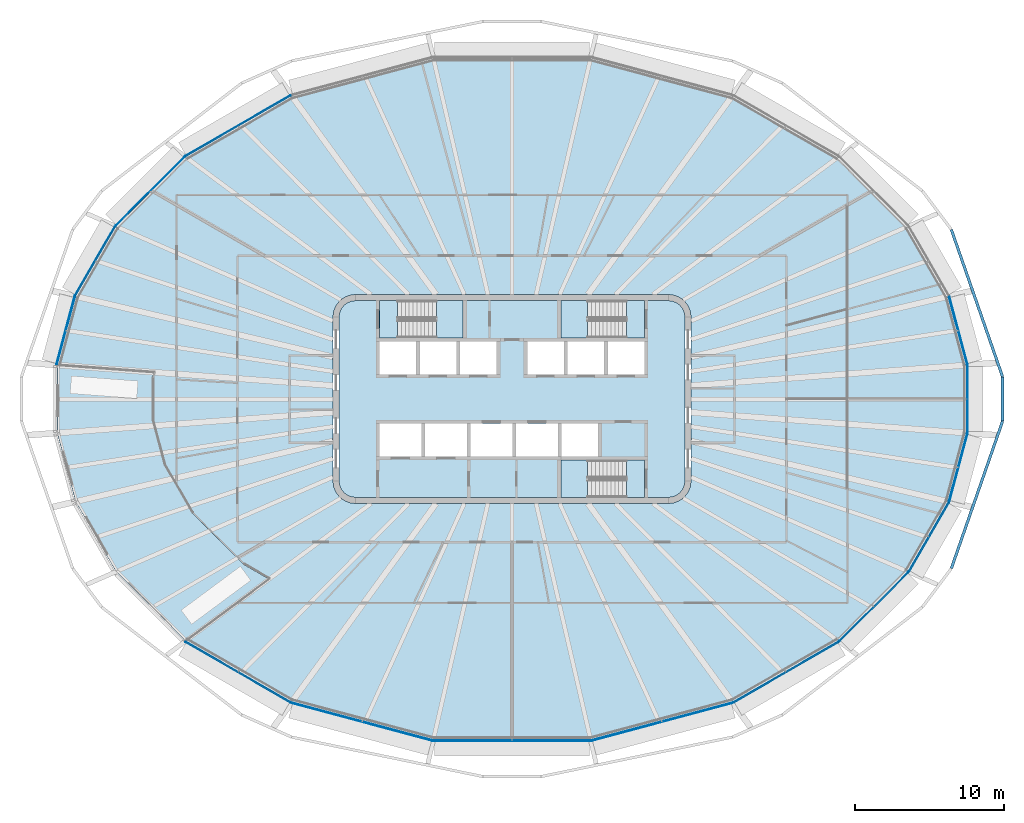
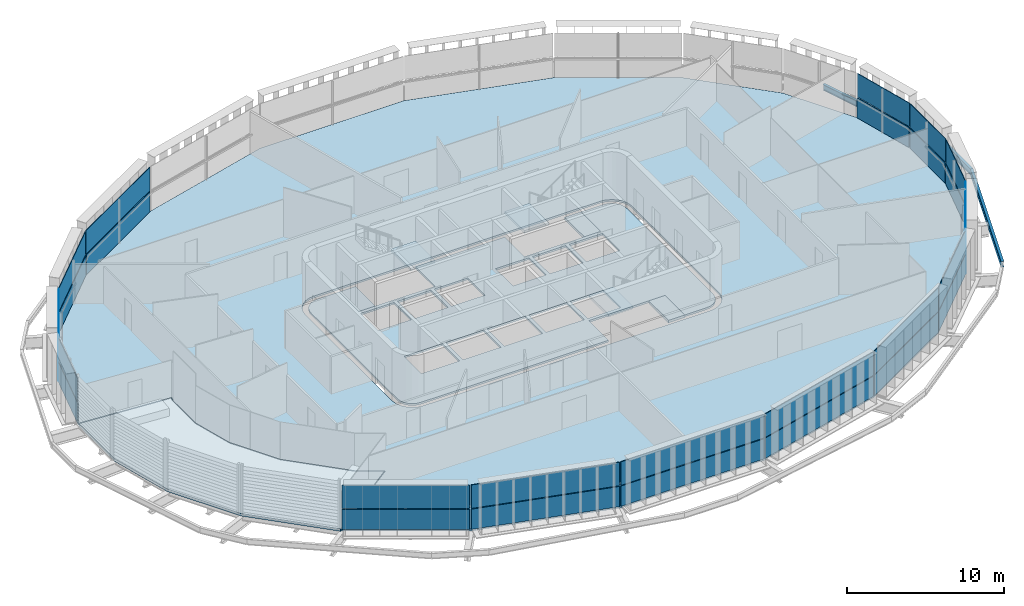
# One storey, part 8 of 20: 28 plates, 9 slabs, 3 beams, 17 elements without a shape of their own.
"""IFC4 building model written with IfcOpenShell, lengths in metres."""

from ifc_helpers import new_model, si_unit, direction, frame, origin, origin_2d, place, context, subcontext, project, spatial, polyline, i_section, outline, extrude, material, layer, layer_set, material_profile, profile_set, type_object, element, aggregate, save


model = new_model("IFC4")

# Units and contexts
model_context = context("Model", 3, precision=1e-05, world=origin(), true_north=direction((0.0, 1.0)))
body_context = subcontext(model_context, "Body", "Model", "MODEL_VIEW")
ifc_project = project(units=[si_unit("LENGTHUNIT", "METRE"), si_unit("AREAUNIT", "SQUARE_METRE"), si_unit("VOLUMEUNIT", "CUBIC_METRE"), si_unit("PLANEANGLEUNIT", "RADIAN"), si_unit("MASSUNIT", "GRAM", prefix="KILO")], contexts=[model_context])

# Site, building, storey
site_placement = place(None, origin())
site = spatial("IfcSite", under=ifc_project, at=site_placement, CompositionType="ELEMENT")
building_placement = place(site_placement, origin())
building = spatial("IfcBuilding", under=site, at=building_placement, Name="Sahrelin Media Tower", CompositionType="ELEMENT")
storey_placement = place(building_placement, frame((0.0, 0.0, 221.60009765625)))
storey = spatial("IfcBuildingStorey", under=building, at=storey_placement, Name="L47", CompositionType="ELEMENT", Elevation=221.60009765625)

# Beams
ifc_material_1 = material(Name="Steel S355", Category="steel")
ifc_material_profile = material_profile(ifc_material_1, i_section(OverallWidth=0.1904296875, OverallDepth=0.45703125, WebThickness=0.009033203125, FlangeThickness=0.014404296875, FilletRadius=0.01025390625, at=origin_2d()), Name="UB 457x191x74")
ifc_profile_set = profile_set([ifc_material_profile], Name="Steel S355")
beam_type = type_object("IfcBeamType", Name="Tie chord TC5", PredefinedType="BEAM", material=ifc_profile_set)
for number, where, z_axis, x_axis, name in (
    (1, (32.88818359375, 1.489990234375, -0.378662109375), (-0.328792248997, 0.944402274987, 0.0), (-0.944402274987, -0.328792248997, 0.0), "Tie chord L47-01"),
    (2, (29.44970703125, -11.366455078125, -0.378662109375), (0.328792248997, 0.944402274987, 0.0), (-0.944402274987, 0.328792248997, 0.0), "Tie chord L47-23"),
):
    element("IfcBeam", number, at=place(storey_placement, frame(where, z_axis=z_axis, x_axis=x_axis)), inside=storey, type_object=beam_type, Name=name, PredefinedType="BEAM", context=body_context, shape_type="SweptSolid", body=[
        extrude(i_section(OverallWidth=0.1904296875, OverallDepth=0.45703125, WebThickness=0.009033203125, FlangeThickness=0.014404296875, FilletRadius=0.01025390625, at=origin_2d()), origin(), (0.0, 0.0, 1.0), 10.4580078125),
    ])
beam_placement = place(storey_placement, frame((32.88818359375, -1.489990234375, -0.378662109375), z_axis=(0.0, 1.0, 0.0), x_axis=(-1.0, 0.0, 0.0)))
element("IfcBeam", 3, at=beam_placement, inside=storey, type_object=beam_type, Name="Tie chord L47-24", PredefinedType="BEAM", context=body_context, shape_type="SweptSolid", body=[
    extrude(i_section(OverallWidth=0.1904296875, OverallDepth=0.45703125, WebThickness=0.009033203125, FlangeThickness=0.014404296875, FilletRadius=0.01025390625, at=origin_2d()), origin(), (0.0, 0.0, 1.0), 2.97998046875),
])

# Slabs
ifc_material_2 = material(Name="Concrete C40/50", Category="concrete")
ifc_layer_1 = layer(ifc_material_2, 0.14990234375)
ifc_layer_set_1 = layer_set([ifc_layer_1], Name="Composite floor slab 150")
slab_type_1 = type_object("IfcSlabType", Name="Composite floor slab 150", PredefinedType="FLOOR", material=ifc_layer_set_1)
placement_1 = place(storey_placement, frame((0.0, 0.0, -0.150146484375)))
element("IfcSlab", 4, at=placement_1, inside=storey, type_object=slab_type_1, Name="Floor slab L47", PredefinedType="FLOOR", context=body_context, shape_type="SweptSolid", body=[
    extrude(outline(polyline([(29.294189453125, -6.885498046875), (30.5283203125, -2.279541015625), (30.5283203125, 2.279541015625), (29.294189453125, 6.885498046875), (26.580810546875, 11.584716796875), (21.91845703125, 16.2470703125), (14.801025390625, 20.3564453125), (5.287353515625, 22.905517578125), (-5.287353515625, 22.905517578125), (-14.801025390625, 20.3564453125), (-21.91845703125, 16.2470703125), (-26.580810546875, 11.584716796875), (-29.294189453125, 6.885498046875), (-30.52783203125, 2.28076171875), (-23.950927734375, 1.789306640625), (-24.048095703125, 1.426513671875), (-24.048095703125, -1.426513671875), (-23.255615234375, -4.38427734375), (-21.3955078125, -7.60595703125), (-17.939697265625, -11.061767578125), (-16.239990234375, -12.04296875), (-21.913330078125, -16.25), (-14.801025390625, -20.3564453125), (-5.287353515625, -22.905517578125), (5.287353515625, -22.905517578125), (14.801025390625, -20.3564453125), (21.91845703125, -16.2470703125), (26.580810546875, -11.584716796875), (29.294189453125, -6.885498046875)]), holes=[polyline([(11.799072265625, 6.25), (11.948974609375, 5.88818359375), (12.0, 5.5), (12.0, -5.5), (11.948974609375, -5.88818359375), (11.799072265625, -6.25), (11.560791015625, -6.560791015625), (11.25, -6.799072265625), (10.88818359375, -6.948974609375), (10.5, -7.0), (-10.5, -7.0), (-10.88818359375, -6.948974609375), (-11.25, -6.799072265625), (-11.560791015625, -6.560791015625), (-11.799072265625, -6.25), (-11.948974609375, -5.88818359375), (-12.0, -5.5), (-12.0, 5.5), (-11.948974609375, 5.88818359375), (-11.799072265625, 6.25), (-11.560791015625, 6.560791015625), (-11.25, 6.799072265625), (-10.88818359375, 6.948974609375), (-10.5, 7.0), (10.5, 7.0), (10.88818359375, 6.948974609375), (11.25, 6.799072265625), (11.560791015625, 6.560791015625), (11.799072265625, 6.25)])]), origin(), (0.0, 0.0, 1.0), 0.150146484375),
])
ifc_layer_2 = layer(ifc_material_2, 0.14990234375)
ifc_layer_set_2 = layer_set([ifc_layer_2], Name="Core floor slab 150")
slab_type_2 = type_object("IfcSlabType", Name="Core floor slab 150", PredefinedType="FLOOR", material=ifc_layer_set_2)
element("IfcSlab", 5, at=placement_1, inside=storey, type_object=slab_type_2, Name="Core floor", PredefinedType="FLOOR", context=body_context, shape_type="SweptSolid", body=[
    extrude(outline(polyline([(-11.60009765625, -5.473876953125), (-11.55908203125, -5.78369140625), (-11.44970703125, -6.04833984375), (-11.275390625, -6.275390625), (-11.04833984375, -6.44970703125), (-10.78369140625, -6.55908203125), (-10.473876953125, -6.60009765625), (3.27490234375, -6.60009765625), (3.27490234375, -4.10009765625), (8.875, -4.10009765625), (8.875, -6.60009765625), (10.473876953125, -6.60009765625), (10.78369140625, -6.55908203125), (11.04833984375, -6.44970703125), (11.275390625, -6.275390625), (11.44970703125, -6.04833984375), (11.55908203125, -5.78369140625), (11.60009765625, -5.473876953125), (11.60009765625, 5.473876953125), (11.55908203125, 5.78369140625), (11.44970703125, 6.04833984375), (11.275390625, 6.275390625), (11.04833984375, 6.44970703125), (10.78369140625, 6.55908203125), (10.473876953125, 6.60009765625), (8.875, 6.60009765625), (8.875, 4.10009765625), (3.27490234375, 4.10009765625), (3.27490234375, 6.60009765625), (-3.27490234375, 6.60009765625), (-3.27490234375, 4.10009765625), (-8.875, 4.10009765625), (-8.875, 6.60009765625), (-10.473876953125, 6.60009765625), (-10.78369140625, 6.55908203125), (-11.04833984375, 6.44970703125), (-11.275390625, 6.275390625), (-11.44970703125, 6.04833984375), (-11.55908203125, 5.78369140625), (-11.60009765625, 5.473876953125), (-11.60009765625, -5.473876953125)]), holes=[polyline([(-8.875, 3.85009765625), (-8.875, 1.64990234375), (-6.425048828125, 1.64990234375), (-6.425048828125, 3.85009765625), (-8.875, 3.85009765625)]), polyline([(-3.72509765625, 3.85009765625), (-6.175048828125, 3.85009765625), (-6.175048828125, 1.64990234375), (-3.72509765625, 1.64990234375), (-3.72509765625, 3.85009765625)]), polyline([(-1.02490234375, 1.64990234375), (-1.02490234375, 3.85009765625), (-3.47509765625, 3.85009765625), (-3.47509765625, 1.64990234375), (-1.02490234375, 1.64990234375)]), polyline([(1.02490234375, 1.64990234375), (3.47509765625, 1.64990234375), (3.47509765625, 3.85009765625), (1.02490234375, 3.85009765625), (1.02490234375, 1.64990234375)]), polyline([(3.72509765625, 3.85009765625), (3.72509765625, 1.64990234375), (6.175048828125, 1.64990234375), (6.175048828125, 3.85009765625), (3.72509765625, 3.85009765625)]), polyline([(8.875, 3.85009765625), (6.425048828125, 3.85009765625), (6.425048828125, 1.64990234375), (8.875, 1.64990234375), (8.875, 3.85009765625)]), polyline([(-6.074951171875, -3.85009765625), (-6.074951171875, -1.64990234375), (-8.875, -1.64990234375), (-8.875, -3.85009765625), (-6.074951171875, -3.85009765625)]), polyline([(-5.824951171875, -3.85009765625), (-3.02490234375, -3.85009765625), (-3.02490234375, -1.64990234375), (-5.824951171875, -1.64990234375), (-5.824951171875, -3.85009765625)]), polyline([(-2.77490234375, -1.64990234375), (-2.77490234375, -3.85009765625), (0.02490234375, -3.85009765625), (0.02490234375, -1.64990234375), (-2.77490234375, -1.64990234375)]), polyline([(3.074951171875, -1.64990234375), (0.27490234375, -1.64990234375), (0.27490234375, -3.85009765625), (3.074951171875, -3.85009765625), (3.074951171875, -1.64990234375)]), polyline([(5.77490234375, -3.85009765625), (5.77490234375, -1.64990234375), (3.324951171875, -1.64990234375), (3.324951171875, -3.85009765625), (5.77490234375, -3.85009765625)])]), origin(), (0.0, 0.0, 1.0), 0.150146484375),
])

# Curtain wall, plate
ifc_material_3 = material(Name="Champagne anodised aluminium 6063-T6", Category="aluminium")
ifc_layer_3 = layer(ifc_material_3, 0.14990234375)
ifc_layer_set_3 = layer_set([ifc_layer_3], Name="Tower ribbon curtain wall")
curtain_wall_type = type_object("IfcCurtainWallType", Name="Tower ribbon curtain wall", PredefinedType="NOTDEFINED", material=ifc_layer_set_3)
curtain_wall_1_placement = place(storey_placement, frame((30.548095703125, 0.0, 0.0), z_axis=(0.0, 0.0, 1.0), x_axis=(1.0, 0.0, 0.0)))
curtain_wall_1 = element("IfcCurtainWall", 6, at=curtain_wall_1_placement, inside=storey, type_object=curtain_wall_type, Name="L47:CW:L47-00", PredefinedType="NOTDEFINED")
ifc_material_4 = material(Name="Clear low-iron glazing", Category="glass")
ifc_layer_4 = layer(ifc_material_4, 0.0439453125)
ifc_layer_set_4 = layer_set([ifc_layer_4], Name="Glazing panel 44 mm CW1B")
plate_type_1 = type_object("IfcPlateType", Name="Glazing panel 44 mm CW1B", PredefinedType="CURTAIN_PANEL", material=ifc_layer_set_4)
plate_1_placement = place(storey_placement, frame((30.568115234375, -2.232177734375, 1.6298828125), z_axis=(1.0, 0.0, 0.0), x_axis=(0.0, 1.0, 0.0)))
plate_1 = element("IfcPlate", 7, at=plate_1_placement, type_object=plate_type_1, Name="L47:CWP2:L47-00", PredefinedType="CURTAIN_PANEL", context=body_context, shape_type="SweptSolid", body=[
    extrude(outline(polyline([(0.0, 0.0), (4.46435546875, 0.0), (4.46435546875, 1.818603515625), (0.0, 1.818603515625), (0.0, 0.0)])), origin(), (0.0, 0.0, -1.0), 0.0439453125),
])

curtain_wall_2_placement = place(storey_placement, frame((29.930419921875, 4.587646484375, 0.0), z_axis=(0.0, 0.0, 1.0), x_axis=(1.0, 0.0, 0.0)))
curtain_wall_2 = element("IfcCurtainWall", 8, at=curtain_wall_2_placement, inside=storey, type_object=curtain_wall_type, Name="L47:CW:L47-01", PredefinedType="NOTDEFINED")
plate_2_placement = place(storey_placement, frame((30.5546875, 2.335693359375, 1.6298828125), z_axis=(0.965921236003, 0.258836175674, 0.0), x_axis=(-0.258836175674, 0.965921236003, 0.0)))
plate_2 = element("IfcPlate", 9, at=plate_2_placement, type_object=plate_type_1, Name="L47:CWP2:L47-01", PredefinedType="CURTAIN_PANEL", context=body_context, shape_type="SweptSolid", body=[
    extrude(outline(polyline([(0.0, 0.0), (4.673583984375, 0.0), (4.673583984375, 1.818603515625), (0.0, 1.818603515625), (0.0, 0.0)])), origin(), (0.0, 0.0, -1.0), 0.0439453125),
])

curtain_wall_3_placement = place(storey_placement, frame((-18.369873046875, 18.319091796875, 0.0), z_axis=(0.0, 0.0, 1.0), x_axis=(1.0, 0.0, 0.0)))
curtain_wall_3 = element("IfcCurtainWall", 10, at=curtain_wall_3_placement, inside=storey, type_object=curtain_wall_type, Name="L47:CW:L47-08", PredefinedType="NOTDEFINED")
plate_3_placement = place(storey_placement, frame((-14.862060546875, 20.3671875, 1.6298828125), z_axis=(-0.499988669132, 0.866031945565, 0.0), x_axis=(-0.866031945565, -0.499988669132, 0.0)))
plate_3 = element("IfcPlate", 11, at=plate_3_placement, type_object=plate_type_1, Name="L47:CWP2:L47-08", PredefinedType="CURTAIN_PANEL", context=body_context, shape_type="SweptSolid", body=[
    extrude(outline(polyline([(0.0, 0.0), (8.123779296875, 0.0), (8.123779296875, 1.818603515625), (0.0, 1.818603515625), (0.0, 0.0)])), origin(), (0.0, 0.0, -1.0), 0.0439453125),
])

curtain_wall_4_placement = place(storey_placement, frame((-24.263916015625, 13.929931640625, 0.0), z_axis=(0.0, 0.0, 1.0), x_axis=(1.0, 0.0, 0.0)))
curtain_wall_4 = element("IfcCurtainWall", 12, at=curtain_wall_4_placement, inside=storey, type_object=curtain_wall_type, Name="L47:CW:L47-09", PredefinedType="NOTDEFINED")
plate_4_placement = place(storey_placement, frame((-21.980224609375, 16.24169921875, 1.6298828125), z_axis=(-0.707087997386, 0.707125564488, 0.0), x_axis=(-0.707125564488, -0.707087997386, 0.0)))
plate_4 = element("IfcPlate", 13, at=plate_4_placement, type_object=plate_type_1, Name="L47:CWP2:L47-09", PredefinedType="CURTAIN_PANEL", context=body_context, shape_type="SweptSolid", body=[
    extrude(outline(polyline([(0.0, 0.0), (6.498779296875, 0.0), (6.498779296875, 1.818603515625), (0.0, 1.818603515625), (0.0, 0.0)])), origin(), (0.0, 0.0, -1.0), 0.0439453125),
])

curtain_wall_5_placement = place(storey_placement, frame((-27.954833984375, 9.2451171875, 0.0), z_axis=(0.0, 0.0, 1.0), x_axis=(1.0, 0.0, 0.0)))
curtain_wall_5 = element("IfcCurtainWall", 14, at=curtain_wall_5_placement, inside=storey, type_object=curtain_wall_type, Name="L47:CW:L47-10", PredefinedType="NOTDEFINED")
plate_5_placement = place(storey_placement, frame((-26.63916015625, 11.563720703125, 1.6298828125), z_axis=(-0.8660338432, 0.499985382219, 0.0), x_axis=(-0.499985382219, -0.8660338432, 0.0)))
plate_5 = element("IfcPlate", 15, at=plate_5_placement, type_object=plate_type_1, Name="L47:CWP2:L47-10", PredefinedType="CURTAIN_PANEL", context=body_context, shape_type="SweptSolid", body=[
    extrude(outline(polyline([(0.0, 0.0), (5.331787109375, 0.0), (5.331787109375, 1.818603515625), (0.0, 1.818603515625), (0.0, 0.0)])), origin(), (0.0, 0.0, -1.0), 0.0439453125),
])

curtain_wall_6_placement = place(storey_placement, frame((-29.930419921875, 4.587646484375, 0.0), z_axis=(0.0, 0.0, 1.0), x_axis=(1.0, 0.0, 0.0)))
curtain_wall_6 = element("IfcCurtainWall", 16, at=curtain_wall_6_placement, inside=storey, type_object=curtain_wall_type, Name="L47:CW:L47-11", PredefinedType="NOTDEFINED")
plate_6_placement = place(storey_placement, frame((-29.344970703125, 6.85009765625, 1.6298828125), z_axis=(-0.965921236003, 0.258836175674, 0.0), x_axis=(-0.258836175674, -0.965921236003, 0.0)))
plate_6 = element("IfcPlate", 17, at=plate_6_placement, type_object=plate_type_1, Name="L47:CWP2:L47-11", PredefinedType="CURTAIN_PANEL", context=body_context, shape_type="SweptSolid", body=[
    extrude(outline(polyline([(0.0, 0.0), (4.673583984375, 0.0), (4.673583984375, 1.818603515625), (0.0, 1.818603515625), (0.0, 0.0)])), origin(), (0.0, 0.0, -1.0), 0.0439453125),
])

curtain_wall_7_placement = place(storey_placement, frame((-18.36962890625, -18.319091796875, 0.0), z_axis=(0.0, 0.0, 1.0), x_axis=(1.0, 0.0, 0.0)))
curtain_wall_7 = element("IfcCurtainWall", 18, at=curtain_wall_7_placement, inside=storey, type_object=curtain_wall_type, Name="L47:CW:L47-16", PredefinedType="NOTDEFINED")
plate_7_placement = place(storey_placement, frame((-21.8974609375, -16.305419921875, 1.6298828125), z_axis=(-0.499988669132, -0.866031945565, 0.0), x_axis=(0.866031945565, -0.499988669132, 0.0)))
plate_7 = element("IfcPlate", 19, at=plate_7_placement, type_object=plate_type_1, Name="L47:CWP2:L47-16", PredefinedType="CURTAIN_PANEL", context=body_context, shape_type="SweptSolid", body=[
    extrude(outline(polyline([(0.0, 0.0), (8.123779296875, 0.0), (8.123779296875, 1.818603515625), (0.0, 1.818603515625), (0.0, 0.0)])), origin(), (0.0, 0.0, -1.0), 0.0439453125),
])

curtain_wall_8_placement = place(storey_placement, frame((-10.04931640625, -21.650390625, 0.0), z_axis=(0.0, 0.0, 1.0), x_axis=(1.0, 0.0, 0.0)))
curtain_wall_8 = element("IfcCurtainWall", 20, at=curtain_wall_8_placement, inside=storey, type_object=curtain_wall_type, Name="L47:CW:L47-17", PredefinedType="NOTDEFINED")
plate_8_placement = place(storey_placement, frame((-14.765625, -20.4072265625, 1.6298828125), z_axis=(-0.258819904839, -0.965925595923, 0.0), x_axis=(0.965925595923, -0.258819904839, 0.0)))
plate_8 = element("IfcPlate", 21, at=plate_8_placement, type_object=plate_type_1, Name="L47:CWP2:L47-17", PredefinedType="CURTAIN_PANEL", context=body_context, shape_type="SweptSolid", body=[
    extrude(outline(polyline([(0.0, 0.0), (9.75439453125, 0.0), (9.75439453125, 1.818603515625), (0.0, 1.818603515625), (0.0, 0.0)])), origin(), (0.0, 0.0, -1.0), 0.0439453125),
])

curtain_wall_9_placement = place(storey_placement, frame((0.0, -22.925537109375, 0.0), z_axis=(0.0, 0.0, 1.0), x_axis=(1.0, 0.0, 0.0)))
curtain_wall_9 = element("IfcCurtainWall", 22, at=curtain_wall_9_placement, inside=storey, type_object=curtain_wall_type, Name="L47:CW:L47-18", PredefinedType="NOTDEFINED")
plate_9_placement = place(storey_placement, frame((-5.239990234375, -22.945556640625, 1.6298828125), z_axis=(0.0, -1.0, 0.0), x_axis=(1.0, 0.0, 0.0)))
plate_9 = element("IfcPlate", 23, at=plate_9_placement, type_object=plate_type_1, Name="L47:CWP2:L47-18", PredefinedType="CURTAIN_PANEL", context=body_context, shape_type="SweptSolid", body=[
    extrude(outline(polyline([(0.0, 0.0), (10.47998046875, 0.0), (10.47998046875, 1.818603515625), (0.0, 1.818603515625), (0.0, 0.0)])), origin(), (0.0, 0.0, -1.0), 0.0439453125),
])

curtain_wall_10_placement = place(storey_placement, frame((10.04931640625, -21.650390625, 0.0), z_axis=(0.0, 0.0, 1.0), x_axis=(1.0, 0.0, 0.0)))
curtain_wall_10 = element("IfcCurtainWall", 24, at=curtain_wall_10_placement, inside=storey, type_object=curtain_wall_type, Name="L47:CW:L47-19", PredefinedType="NOTDEFINED")
plate_10_placement = place(storey_placement, frame((5.343505859375, -22.931884765625, 1.6298828125), z_axis=(0.258819904839, -0.965925595923, 0.0), x_axis=(0.965925595923, 0.258819904839, 0.0)))
plate_10 = element("IfcPlate", 25, at=plate_10_placement, type_object=plate_type_1, Name="L47:CWP2:L47-19", PredefinedType="CURTAIN_PANEL", context=body_context, shape_type="SweptSolid", body=[
    extrude(outline(polyline([(0.0, 0.0), (9.75439453125, 0.0), (9.75439453125, 1.818603515625), (0.0, 1.818603515625), (0.0, 0.0)])), origin(), (0.0, 0.0, -1.0), 0.0439453125),
])

curtain_wall_11_placement = place(storey_placement, frame((18.369873046875, -18.319091796875, 0.0), z_axis=(0.0, 0.0, 1.0), x_axis=(1.0, 0.0, 0.0)))
curtain_wall_11 = element("IfcCurtainWall", 26, at=curtain_wall_11_placement, inside=storey, type_object=curtain_wall_type, Name="L47:CW:L47-20", PredefinedType="NOTDEFINED")
plate_11_placement = place(storey_placement, frame((14.862060546875, -20.3671875, 1.6298828125), z_axis=(0.499988669132, -0.866031945565, 0.0), x_axis=(0.866031945565, 0.499988669132, 0.0)))
plate_11 = element("IfcPlate", 27, at=plate_11_placement, type_object=plate_type_1, Name="L47:CWP2:L47-20", PredefinedType="CURTAIN_PANEL", context=body_context, shape_type="SweptSolid", body=[
    extrude(outline(polyline([(0.0, 0.0), (8.123779296875, 0.0), (8.123779296875, 1.818603515625), (0.0, 1.818603515625), (0.0, 0.0)])), origin(), (0.0, 0.0, -1.0), 0.0439453125),
])

curtain_wall_12_placement = place(storey_placement, frame((24.263916015625, -13.929931640625, 0.0), z_axis=(0.0, 0.0, 1.0), x_axis=(1.0, 0.0, 0.0)))
curtain_wall_12 = element("IfcCurtainWall", 28, at=curtain_wall_12_placement, inside=storey, type_object=curtain_wall_type, Name="L47:CW:L47-21", PredefinedType="NOTDEFINED")
plate_12_placement = place(storey_placement, frame((21.980224609375, -16.24169921875, 1.6298828125), z_axis=(0.707087997386, -0.707125564488, 0.0), x_axis=(0.707125564488, 0.707087997386, 0.0)))
plate_12 = element("IfcPlate", 29, at=plate_12_placement, type_object=plate_type_1, Name="L47:CWP2:L47-21", PredefinedType="CURTAIN_PANEL", context=body_context, shape_type="SweptSolid", body=[
    extrude(outline(polyline([(0.0, 0.0), (6.498779296875, 0.0), (6.498779296875, 1.818603515625), (0.0, 1.818603515625), (0.0, 0.0)])), origin(), (0.0, 0.0, -1.0), 0.0439453125),
])

curtain_wall_13_placement = place(storey_placement, frame((27.954833984375, -9.2451171875, 0.0), z_axis=(0.0, 0.0, 1.0), x_axis=(1.0, 0.0, 0.0)))
curtain_wall_13 = element("IfcCurtainWall", 30, at=curtain_wall_13_placement, inside=storey, type_object=curtain_wall_type, Name="L47:CW:L47-22", PredefinedType="NOTDEFINED")
plate_13_placement = place(storey_placement, frame((26.63916015625, -11.563720703125, 1.6298828125), z_axis=(0.8660338432, -0.499985382219, 0.0), x_axis=(0.499985382219, 0.8660338432, 0.0)))
plate_13 = element("IfcPlate", 31, at=plate_13_placement, type_object=plate_type_1, Name="L47:CWP2:L47-22", PredefinedType="CURTAIN_PANEL", context=body_context, shape_type="SweptSolid", body=[
    extrude(outline(polyline([(0.0, 0.0), (5.331787109375, 0.0), (5.331787109375, 1.818603515625), (0.0, 1.818603515625), (0.0, 0.0)])), origin(), (0.0, 0.0, -1.0), 0.0439453125),
])

curtain_wall_14_placement = place(storey_placement, frame((29.930419921875, -4.587646484375, 0.0), z_axis=(0.0, 0.0, 1.0), x_axis=(1.0, 0.0, 0.0)))
curtain_wall_14 = element("IfcCurtainWall", 32, at=curtain_wall_14_placement, inside=storey, type_object=curtain_wall_type, Name="L47:CW:L47-23", PredefinedType="NOTDEFINED")
plate_14_placement = place(storey_placement, frame((29.344970703125, -6.85009765625, 1.6298828125), z_axis=(0.965921236003, -0.258836175674, 0.0), x_axis=(0.258836175674, 0.965921236003, 0.0)))
plate_14 = element("IfcPlate", 33, at=plate_14_placement, type_object=plate_type_1, Name="L47:CWP2:L47-23", PredefinedType="CURTAIN_PANEL", context=body_context, shape_type="SweptSolid", body=[
    extrude(outline(polyline([(0.0, 0.0), (4.673583984375, 0.0), (4.673583984375, 1.818603515625), (0.0, 1.818603515625), (0.0, 0.0)])), origin(), (0.0, 0.0, -1.0), 0.0439453125),
])

# Slab
ifc_layer_5 = layer(ifc_material_2, 0.199951171875)
ifc_layer_set_5 = layer_set([ifc_layer_5], Name="Sky garden terrace slab")
slab_type_3 = type_object("IfcSlabType", Name="Sky garden terrace slab", PredefinedType="FLOOR", material=ifc_layer_set_5)
placement_2 = place(storey_placement, frame((0.0, 0.0, -0.2001953125)))
element("IfcSlab", 34, at=placement_2, inside=storey, type_object=slab_type_3, Name="Sky garden terrace G4", PredefinedType="FLOOR", context=body_context, shape_type="SweptSolid", body=[
    extrude(outline(polyline([(-29.26611328125, -6.873779296875), (-30.498291015625, -2.275634765625), (-30.498291015625, 2.228271484375), (-24.014892578125, 1.743896484375), (-24.09814453125, 1.43310546875), (-24.09814453125, -1.43310546875), (-23.30224609375, -4.403564453125), (-21.435546875, -7.63671875), (-17.970458984375, -11.101806640625), (-16.3310546875, -12.048095703125), (-21.92578125, -16.197021484375), (-26.556884765625, -11.56640625), (-29.26611328125, -6.873779296875)])), origin(), (0.0, 0.0, 1.0), 0.2001953125),
])

# Plate
ifc_material_5 = material(Name="Insulated spandrel panel")
ifc_layer_6 = layer(ifc_material_5, 0.06005859375)
ifc_layer_set_6 = layer_set([ifc_layer_6], Name="Spandrel panel 60 mm CW1")
plate_type_2 = type_object("IfcPlateType", Name="Spandrel panel 60 mm CW1", PredefinedType="SHEET", material=ifc_layer_set_6)
plate_15_placement = place(storey_placement, frame((30.568115234375, -2.232177734375, 0.0), z_axis=(1.0, 0.0, 0.0), x_axis=(0.0, 1.0, 0.0)))
plate_15 = element("IfcPlate", 35, at=plate_15_placement, type_object=plate_type_2, Name="L47:CWP1:L47-00", PredefinedType="SHEET", context=body_context, shape_type="SweptSolid", body=[
    extrude(outline(polyline([(0.0, 0.0), (4.46435546875, 0.0), (4.46435546875, 1.56982421875), (0.0, 1.56982421875), (0.0, 0.0)])), origin(), (0.0, 0.0, -1.0), 0.06005859375),
])

aggregate(curtain_wall_1, [plate_15, plate_1])

plate_16_placement = place(storey_placement, frame((30.5546875, 2.335693359375, 0.0), z_axis=(0.965921236003, 0.258836175674, 0.0), x_axis=(-0.258836175674, 0.965921236003, 0.0)))
plate_16 = element("IfcPlate", 36, at=plate_16_placement, type_object=plate_type_2, Name="L47:CWP1:L47-01", PredefinedType="SHEET", context=body_context, shape_type="SweptSolid", body=[
    extrude(outline(polyline([(0.0, 0.0), (4.673583984375, 0.0), (4.673583984375, 1.56982421875), (0.0, 1.56982421875), (0.0, 0.0)])), origin(), (0.0, 0.0, -1.0), 0.06005859375),
])

aggregate(curtain_wall_2, [plate_16, plate_2])

plate_17_placement = place(storey_placement, frame((-14.862060546875, 20.3671875, 0.0), z_axis=(-0.499988669132, 0.866031945565, 0.0), x_axis=(-0.866031945565, -0.499988669132, 0.0)))
plate_17 = element("IfcPlate", 37, at=plate_17_placement, type_object=plate_type_2, Name="L47:CWP1:L47-08", PredefinedType="SHEET", context=body_context, shape_type="SweptSolid", body=[
    extrude(outline(polyline([(0.0, 0.0), (8.123779296875, 0.0), (8.123779296875, 1.56982421875), (0.0, 1.56982421875), (0.0, 0.0)])), origin(), (0.0, 0.0, -1.0), 0.06005859375),
])

aggregate(curtain_wall_3, [plate_17, plate_3])

plate_18_placement = place(storey_placement, frame((-21.980224609375, 16.24169921875, 0.0), z_axis=(-0.707087997386, 0.707125564488, 0.0), x_axis=(-0.707125564488, -0.707087997386, 0.0)))
plate_18 = element("IfcPlate", 38, at=plate_18_placement, type_object=plate_type_2, Name="L47:CWP1:L47-09", PredefinedType="SHEET", context=body_context, shape_type="SweptSolid", body=[
    extrude(outline(polyline([(0.0, 0.0), (6.498779296875, 0.0), (6.498779296875, 1.56982421875), (0.0, 1.56982421875), (0.0, 0.0)])), origin(), (0.0, 0.0, -1.0), 0.06005859375),
])

aggregate(curtain_wall_4, [plate_18, plate_4])

plate_19_placement = place(storey_placement, frame((-26.63916015625, 11.563720703125, 0.0), z_axis=(-0.8660338432, 0.499985382219, 0.0), x_axis=(-0.499985382219, -0.8660338432, 0.0)))
plate_19 = element("IfcPlate", 39, at=plate_19_placement, type_object=plate_type_2, Name="L47:CWP1:L47-10", PredefinedType="SHEET", context=body_context, shape_type="SweptSolid", body=[
    extrude(outline(polyline([(0.0, 0.0), (5.331787109375, 0.0), (5.331787109375, 1.56982421875), (0.0, 1.56982421875), (0.0, 0.0)])), origin(), (0.0, 0.0, -1.0), 0.06005859375),
])

aggregate(curtain_wall_5, [plate_19, plate_5])

plate_20_placement = place(storey_placement, frame((-29.344970703125, 6.85009765625, 0.0), z_axis=(-0.965921236003, 0.258836175674, 0.0), x_axis=(-0.258836175674, -0.965921236003, 0.0)))
plate_20 = element("IfcPlate", 40, at=plate_20_placement, type_object=plate_type_2, Name="L47:CWP1:L47-11", PredefinedType="SHEET", context=body_context, shape_type="SweptSolid", body=[
    extrude(outline(polyline([(0.0, 0.0), (4.673583984375, 0.0), (4.673583984375, 1.56982421875), (0.0, 1.56982421875), (0.0, 0.0)])), origin(), (0.0, 0.0, -1.0), 0.06005859375),
])

aggregate(curtain_wall_6, [plate_20, plate_6])

plate_21_placement = place(storey_placement, frame((-21.8974609375, -16.305419921875, 0.0), z_axis=(-0.499988669132, -0.866031945565, 0.0), x_axis=(0.866031945565, -0.499988669132, 0.0)))
plate_21 = element("IfcPlate", 41, at=plate_21_placement, type_object=plate_type_2, Name="L47:CWP1:L47-16", PredefinedType="SHEET", context=body_context, shape_type="SweptSolid", body=[
    extrude(outline(polyline([(0.0, 0.0), (8.123779296875, 0.0), (8.123779296875, 1.56982421875), (0.0, 1.56982421875), (0.0, 0.0)])), origin(), (0.0, 0.0, -1.0), 0.06005859375),
])

aggregate(curtain_wall_7, [plate_21, plate_7])

plate_22_placement = place(storey_placement, frame((-14.765625, -20.4072265625, 0.0), z_axis=(-0.258819904839, -0.965925595923, 0.0), x_axis=(0.965925595923, -0.258819904839, 0.0)))
plate_22 = element("IfcPlate", 42, at=plate_22_placement, type_object=plate_type_2, Name="L47:CWP1:L47-17", PredefinedType="SHEET", context=body_context, shape_type="SweptSolid", body=[
    extrude(outline(polyline([(0.0, 0.0), (9.75439453125, 0.0), (9.75439453125, 1.56982421875), (0.0, 1.56982421875), (0.0, 0.0)])), origin(), (0.0, 0.0, -1.0), 0.06005859375),
])

aggregate(curtain_wall_8, [plate_22, plate_8])

plate_23_placement = place(storey_placement, frame((-5.239990234375, -22.945556640625, 0.0), z_axis=(0.0, -1.0, 0.0), x_axis=(1.0, 0.0, 0.0)))
plate_23 = element("IfcPlate", 43, at=plate_23_placement, type_object=plate_type_2, Name="L47:CWP1:L47-18", PredefinedType="SHEET", context=body_context, shape_type="SweptSolid", body=[
    extrude(outline(polyline([(0.0, 0.0), (10.47998046875, 0.0), (10.47998046875, 1.56982421875), (0.0, 1.56982421875), (0.0, 0.0)])), origin(), (0.0, 0.0, -1.0), 0.06005859375),
])

aggregate(curtain_wall_9, [plate_23, plate_9])

plate_24_placement = place(storey_placement, frame((5.343505859375, -22.931884765625, 0.0), z_axis=(0.258819904839, -0.965925595923, 0.0), x_axis=(0.965925595923, 0.258819904839, 0.0)))
plate_24 = element("IfcPlate", 44, at=plate_24_placement, type_object=plate_type_2, Name="L47:CWP1:L47-19", PredefinedType="SHEET", context=body_context, shape_type="SweptSolid", body=[
    extrude(outline(polyline([(0.0, 0.0), (9.75439453125, 0.0), (9.75439453125, 1.56982421875), (0.0, 1.56982421875), (0.0, 0.0)])), origin(), (0.0, 0.0, -1.0), 0.06005859375),
])

aggregate(curtain_wall_10, [plate_24, plate_10])

plate_25_placement = place(storey_placement, frame((14.862060546875, -20.3671875, 0.0), z_axis=(0.499988669132, -0.866031945565, 0.0), x_axis=(0.866031945565, 0.499988669132, 0.0)))
plate_25 = element("IfcPlate", 45, at=plate_25_placement, type_object=plate_type_2, Name="L47:CWP1:L47-20", PredefinedType="SHEET", context=body_context, shape_type="SweptSolid", body=[
    extrude(outline(polyline([(0.0, 0.0), (8.123779296875, 0.0), (8.123779296875, 1.56982421875), (0.0, 1.56982421875), (0.0, 0.0)])), origin(), (0.0, 0.0, -1.0), 0.06005859375),
])

aggregate(curtain_wall_11, [plate_25, plate_11])

plate_26_placement = place(storey_placement, frame((21.980224609375, -16.24169921875, 0.0), z_axis=(0.707087997386, -0.707125564488, 0.0), x_axis=(0.707125564488, 0.707087997386, 0.0)))
plate_26 = element("IfcPlate", 46, at=plate_26_placement, type_object=plate_type_2, Name="L47:CWP1:L47-21", PredefinedType="SHEET", context=body_context, shape_type="SweptSolid", body=[
    extrude(outline(polyline([(0.0, 0.0), (6.498779296875, 0.0), (6.498779296875, 1.56982421875), (0.0, 1.56982421875), (0.0, 0.0)])), origin(), (0.0, 0.0, -1.0), 0.06005859375),
])

aggregate(curtain_wall_12, [plate_26, plate_12])

plate_27_placement = place(storey_placement, frame((26.63916015625, -11.563720703125, 0.0), z_axis=(0.8660338432, -0.499985382219, 0.0), x_axis=(0.499985382219, 0.8660338432, 0.0)))
plate_27 = element("IfcPlate", 47, at=plate_27_placement, type_object=plate_type_2, Name="L47:CWP1:L47-22", PredefinedType="SHEET", context=body_context, shape_type="SweptSolid", body=[
    extrude(outline(polyline([(0.0, 0.0), (5.331787109375, 0.0), (5.331787109375, 1.56982421875), (0.0, 1.56982421875), (0.0, 0.0)])), origin(), (0.0, 0.0, -1.0), 0.06005859375),
])

aggregate(curtain_wall_13, [plate_27, plate_13])

plate_28_placement = place(storey_placement, frame((29.344970703125, -6.85009765625, 0.0), z_axis=(0.965921236003, -0.258836175674, 0.0), x_axis=(0.258836175674, 0.965921236003, 0.0)))
plate_28 = element("IfcPlate", 48, at=plate_28_placement, type_object=plate_type_2, Name="L47:CWP1:L47-23", PredefinedType="SHEET", context=body_context, shape_type="SweptSolid", body=[
    extrude(outline(polyline([(0.0, 0.0), (4.673583984375, 0.0), (4.673583984375, 1.56982421875), (0.0, 1.56982421875), (0.0, 0.0)])), origin(), (0.0, 0.0, -1.0), 0.06005859375),
])

aggregate(curtain_wall_14, [plate_28, plate_14])

# Stair, slabs
stair_type = type_object("IfcStairType", Name="Exit stair 1200", PredefinedType="HALF_TURN_STAIR", material=ifc_material_2)
placement_3 = place(storey_placement, origin())
stair_1 = element("IfcStair", 49, at=placement_3, inside=storey, type_object=stair_type, Name="L47 Exit stair ST1", PredefinedType="HALF_TURN_STAIR")
ifc_layer_7 = layer(ifc_material_2, 0.199951171875)
ifc_layer_set_7 = layer_set([ifc_layer_7], Name="Stair landing 200")
slab_type_4 = type_object("IfcSlabType", Name="Stair landing 200", PredefinedType="LANDING", material=ifc_layer_set_7)
placement_4 = place(storey_placement, frame((0.0, 0.0, 1.7998046875)))
slab_4 = element("IfcSlab", 50, at=placement_4, type_object=slab_type_4, Name="ST1 landing 1", PredefinedType="LANDING", context=body_context, shape_type="SweptSolid", body=[
    extrude(outline(polyline([(-5.074951171875, 4.10009765625), (-3.27490234375, 4.10009765625), (-3.27490234375, 6.60009765625), (-5.074951171875, 6.60009765625), (-5.074951171875, 4.10009765625)])), origin(), (0.0, 0.0, 1.0), 0.2001953125),
])
slab_5 = element("IfcSlab", 51, at=placement_2, type_object=slab_type_4, Name="ST1 landing 2", PredefinedType="LANDING", context=body_context, shape_type="SweptSolid", body=[
    extrude(outline(polyline([(-8.875, 4.10009765625), (-7.675048828125, 4.10009765625), (-7.675048828125, 6.60009765625), (-8.875, 6.60009765625), (-8.875, 4.10009765625)])), origin(), (0.0, 0.0, 1.0), 0.2001953125),
])
aggregate(stair_1, [slab_4, slab_5])

stair_2 = element("IfcStair", 52, at=placement_3, inside=storey, type_object=stair_type, Name="L47 Exit stair ST3", PredefinedType="HALF_TURN_STAIR")
slab_6 = element("IfcSlab", 53, at=placement_4, type_object=slab_type_4, Name="ST3 landing 1", PredefinedType="LANDING", context=body_context, shape_type="SweptSolid", body=[
    extrude(outline(polyline([(5.074951171875, 6.60009765625), (3.27490234375, 6.60009765625), (3.27490234375, 4.10009765625), (5.074951171875, 4.10009765625), (5.074951171875, 6.60009765625)])), origin(), (0.0, 0.0, 1.0), 0.2001953125),
])
slab_7 = element("IfcSlab", 54, at=placement_2, type_object=slab_type_4, Name="ST3 landing 2", PredefinedType="LANDING", context=body_context, shape_type="SweptSolid", body=[
    extrude(outline(polyline([(8.875, 6.60009765625), (7.675048828125, 6.60009765625), (7.675048828125, 4.10009765625), (8.875, 4.10009765625), (8.875, 6.60009765625)])), origin(), (0.0, 0.0, 1.0), 0.2001953125),
])
aggregate(stair_2, [slab_6, slab_7])

stair_3 = element("IfcStair", 55, at=placement_3, inside=storey, type_object=stair_type, Name="L47 Exit stair ST2", PredefinedType="HALF_TURN_STAIR")
slab_8 = element("IfcSlab", 56, at=placement_4, type_object=slab_type_4, Name="ST2 landing 1", PredefinedType="LANDING", context=body_context, shape_type="SweptSolid", body=[
    extrude(outline(polyline([(5.074951171875, -4.10009765625), (3.27490234375, -4.10009765625), (3.27490234375, -6.60009765625), (5.074951171875, -6.60009765625), (5.074951171875, -4.10009765625)])), origin(), (0.0, 0.0, 1.0), 0.2001953125),
])
slab_9 = element("IfcSlab", 57, at=placement_2, type_object=slab_type_4, Name="ST2 landing 2", PredefinedType="LANDING", context=body_context, shape_type="SweptSolid", body=[
    extrude(outline(polyline([(8.875, -4.10009765625), (7.675048828125, -4.10009765625), (7.675048828125, -6.60009765625), (8.875, -6.60009765625), (8.875, -4.10009765625)])), origin(), (0.0, 0.0, 1.0), 0.2001953125),
])
aggregate(stair_3, [slab_8, slab_9])

save(model, "model.ifc")
